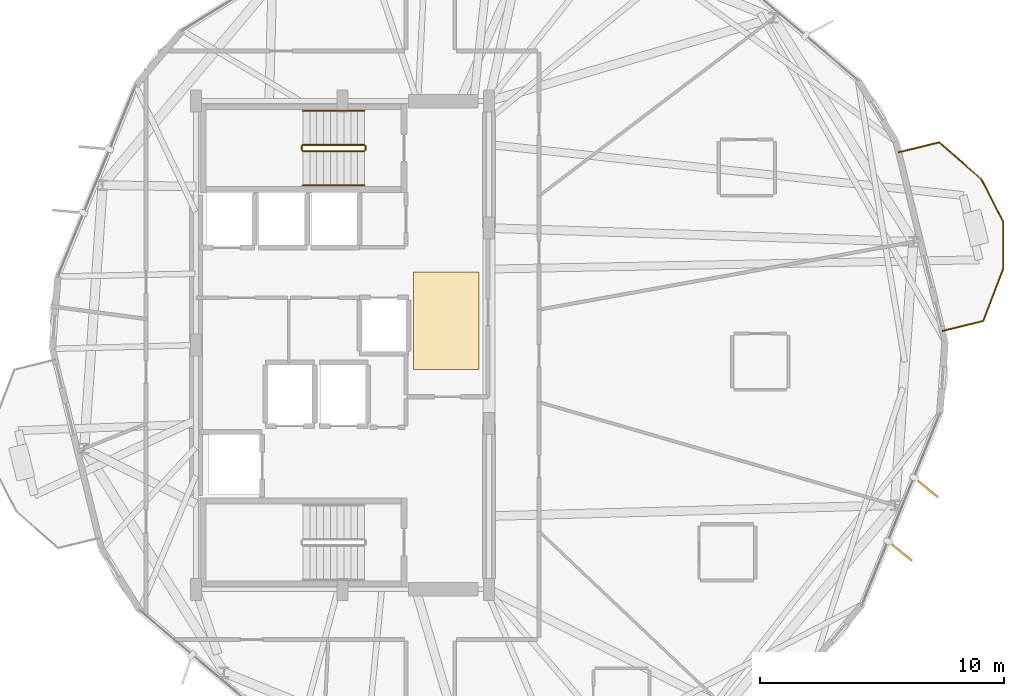
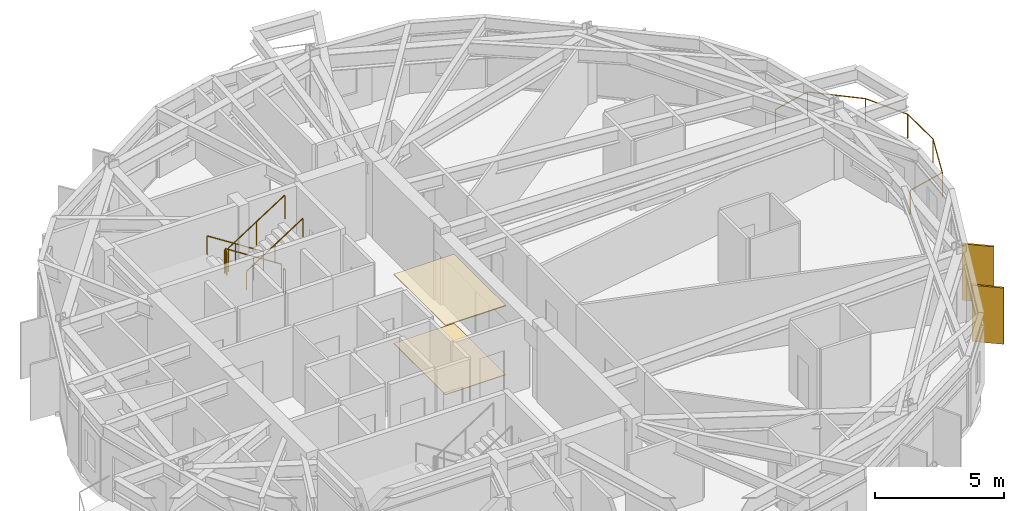
# One storey, part 20 of 21: 7 railings, 2 coverings, 2 shading devices.
"""IFC4 building model written with IfcOpenShell, lengths in metres."""

from ifc_helpers import new_model, si_unit, direction, frame, origin, origin_2d, place, context, subcontext, project, spatial, polyline, rectangle, circle, outline, extrude, material, layer, layer_set, type_object, element, save


model = new_model("IFC4")

# Units and contexts
model_context = context("Model", 3, precision=1e-05, world=origin(), true_north=direction((0.0, 1.0)))
body_context = subcontext(model_context, "Body", "Model", "MODEL_VIEW")
ifc_project = project(units=[si_unit("LENGTHUNIT", "METRE"), si_unit("AREAUNIT", "SQUARE_METRE"), si_unit("VOLUMEUNIT", "CUBIC_METRE"), si_unit("PLANEANGLEUNIT", "RADIAN"), si_unit("MASSUNIT", "GRAM", prefix="KILO")], contexts=[model_context])

# Site, building, storey
site_placement = place(None, origin())
site = spatial("IfcSite", under=ifc_project, at=site_placement, CompositionType="ELEMENT")
building_placement = place(site_placement, origin())
building = spatial("IfcBuilding", under=site, at=building_placement, Name="Soratama Intermodal Tower", CompositionType="ELEMENT")
storey_placement = place(building_placement, frame((0.0, 0.0, 153.39990234375)))
storey = spatial("IfcBuildingStorey", under=building, at=storey_placement, Name="L37", CompositionType="ELEMENT", Elevation=153.39990234375)

# Coverings
ifc_material_1 = material(Name="Perforated mineral acoustic ceiling", Category="concrete")
ifc_layer_1 = layer(ifc_material_1, 0.0400390625)
ifc_layer_set_1 = layer_set([ifc_layer_1], Name="Perforated mineral acoustic ceiling")
covering_type_1 = type_object("IfcCoveringType", Name="CV-CEIL-ACOUSTIC", PredefinedType="CEILING", material=ifc_layer_set_1)
covering_1_placement = place(storey_placement, frame((0.0, 0.0, 3.260009765625)))
element("IfcCovering", 1, at=covering_1_placement, inside=storey, type_object=covering_type_1, Name="L37 Acoustic Ceiling", PredefinedType="CEILING", context=body_context, shape_type="SweptSolid", body=[
    extrude(outline(polyline([(41.5, 24.0), (44.199951171875, 24.0), (44.199951171875, 28.0), (41.5, 28.0), (41.5, 24.0)])), origin(), (0.0, 0.0, 1.0), 0.0400390625),
])
ifc_material_2 = material(Name="Polished Andean stone terrazzo flooring", Category="masonry")
ifc_layer_2 = layer(ifc_material_2, 0.030029296875)
ifc_layer_set_2 = layer_set([ifc_layer_2], Name="Polished Andean stone terrazzo flooring")
covering_type_2 = type_object("IfcCoveringType", Name="CV-FLOR-TERRAZZO", PredefinedType="FLOORING", material=ifc_layer_set_2)
covering_2_placement = place(storey_placement, origin())
element("IfcCovering", 2, at=covering_2_placement, inside=storey, type_object=covering_type_2, Name="L37 Lobby Terrazzo Flooring", PredefinedType="FLOORING", context=body_context, shape_type="SweptSolid", body=[
    extrude(outline(polyline([(41.5, 24.0), (44.199951171875, 24.0), (44.199951171875, 28.0), (41.5, 28.0), (41.5, 24.0)])), origin(), (0.0, 0.0, 1.0), 0.030029296875),
])

# Railings
ifc_material_3 = material(Name="Laminated glass and stainless steel balustrade", Category="steel")
railing_type_1 = type_object("IfcRailingType", Name="RL-BAL-1150", PredefinedType="BALUSTRADE", material=ifc_material_3)
railing_1_placement = place(storey_placement, frame((61.37548828125, 32.904541015625, 0.0)))
element("IfcRailing", 3, at=railing_1_placement, inside=storey, type_object=railing_type_1, Name="L37 Balcony Balustrade 1", PredefinedType="BALUSTRADE", context=body_context, shape_type="SweptSolid", body=[
    extrude(circle(Radius=0.02392578125, at=origin_2d()), frame((0.0, 0.0, 1.1259765625), z_axis=(0.971152571108, 0.238458976829, 0.0), x_axis=(-0.238458976829, 0.971152571108, 0.0)), (0.0, 0.0, 1.0), 1.719970703125),
    extrude(circle(Radius=0.02392578125, at=origin_2d()), frame((1.67041015625, 0.41015625, 1.1259765625), z_axis=(0.75035271629, -0.661037669998, 0.0), x_axis=(0.661037669998, 0.75035271629, 0.0)), (0.0, 0.0, 1.0), 2.296142578125),
    extrude(circle(Radius=0.02392578125, at=origin_2d()), frame((3.393310546875, -1.107666015625, 1.1259765625), z_axis=(0.457063329661, -0.889434153088, 0.0), x_axis=(0.889434153088, 0.457063329661, 0.0)), (0.0, 0.0, 1.0), 1.93798828125),
    extrude(circle(Radius=0.02392578125, at=origin_2d()), frame((4.279052734375, -2.831298828125, 1.1259765625), z_axis=(0.007055386945, -0.999975110448, 0.0), x_axis=(0.999975110448, 0.007055386945, 0.0)), (0.0, 0.0, 1.0), 1.937744140625),
    extrude(circle(Radius=0.02392578125, at=origin_2d()), frame((4.292724609375, -4.76904296875, 1.1259765625), z_axis=(-0.3586512975, -0.933471610067, 0.0), x_axis=(0.933471610067, -0.3586512975, 0.0)), (0.0, 0.0, 1.0), 2.296142578125),
    extrude(circle(Radius=0.02392578125, at=origin_2d()), frame((3.46923828125, -6.912353515625, 1.1259765625), z_axis=(-0.971119692554, -0.238592838817, 0.0), x_axis=(0.238592838817, -0.971119692554, 0.0)), (0.0, 0.0, 1.0), 1.719970703125),
    extrude(circle(Radius=0.02099609375, at=origin_2d()), origin(), (0.0, 0.0, 1.0), 1.101806640625),
    extrude(circle(Radius=0.02099609375, at=origin_2d()), frame((1.67041015625, 0.41015625, 0.0)), (0.0, 0.0, 1.0), 1.101806640625),
    extrude(circle(Radius=0.02099609375, at=origin_2d()), frame((3.393310546875, -1.107666015625, 0.0)), (0.0, 0.0, 1.0), 1.101806640625),
    extrude(circle(Radius=0.02099609375, at=origin_2d()), frame((4.279052734375, -2.831298828125, 0.0)), (0.0, 0.0, 1.0), 1.101806640625),
    extrude(circle(Radius=0.02099609375, at=origin_2d()), frame((4.292724609375, -4.76904296875, 0.0)), (0.0, 0.0, 1.0), 1.101806640625),
    extrude(circle(Radius=0.02099609375, at=origin_2d()), frame((3.46923828125, -6.912353515625, 0.0)), (0.0, 0.0, 1.0), 1.101806640625),
    extrude(circle(Radius=0.02099609375, at=origin_2d()), frame((1.798828125, -7.32275390625, 0.0)), (0.0, 0.0, 1.0), 1.101806640625),
])
ifc_material_4 = material(Name="Painted steel stair guardrail", Category="steel")
railing_type_2 = type_object("IfcRailingType", Name="RL-STAIR-GUARD", PredefinedType="GUARDRAIL", material=ifc_material_4)
railing_2_placement = place(storey_placement, frame((39.5, 33.199951171875, 0.18017578125)))
element("IfcRailing", 4, at=railing_2_placement, inside=storey, type_object=railing_type_2, Name="L37 ST-2 stair guard 1", PredefinedType="GUARDRAIL", context=body_context, shape_type="SweptSolid", body=[
    extrude(circle(Radius=0.02392578125, at=origin_2d()), frame((0.0, 0.0, 1.1259765625), z_axis=(-0.841199657755, 0.0, 0.540724639528), x_axis=(0.0, -1.0, 0.0)), (0.0, 0.0, 1.0), 2.995849609375),
    extrude(circle(Radius=0.02099609375, at=origin_2d()), origin(), (0.0, 0.0, 1.0), 1.101806640625),
    extrude(circle(Radius=0.02099609375, at=origin_2d()), frame((-1.260009765625, 0.0, 0.81005859375)), (0.0, 0.0, 1.0), 1.101806640625),
    extrude(circle(Radius=0.02099609375, at=origin_2d()), frame((-2.52001953125, 0.0, 1.619873046875)), (0.0, 0.0, 1.0), 1.101806640625),
])
railing_3_placement = place(storey_placement, frame((36.929931640625, 33.14990234375, 1.800048828125)))
element("IfcRailing", 5, at=railing_3_placement, inside=storey, type_object=railing_type_2, Name="L37 ST-2 stair guard 2", PredefinedType="GUARDRAIL", context=body_context, shape_type="SweptSolid", body=[
    extrude(circle(Radius=0.02392578125, at=origin_2d()), frame((0.0, 0.0, 1.1259765625), z_axis=(0.0, -1.0, 0.0), x_axis=(1.0, 0.0, 0.0)), (0.0, 0.0, 1.0), 0.14990234375),
    extrude(circle(Radius=0.02099609375, at=origin_2d()), origin(), (0.0, 0.0, 1.0), 1.101806640625),
    extrude(circle(Radius=0.02099609375, at=origin_2d()), frame((0.0, -0.14990234375, 0.0)), (0.0, 0.0, 1.0), 1.101806640625),
])
railing_4_placement = place(storey_placement, frame((36.97998046875, 32.949951171875, 1.97998046875)))
element("IfcRailing", 6, at=railing_4_placement, inside=storey, type_object=railing_type_2, Name="L37 ST-2 stair guard 3", PredefinedType="GUARDRAIL", context=body_context, shape_type="SweptSolid", body=[
    extrude(circle(Radius=0.02392578125, at=origin_2d()), frame((0.0, 0.0, 1.1259765625), z_axis=(0.841162588446, 0.0, 0.540782303519), x_axis=(0.0, 1.0, 0.0)), (0.0, 0.0, 1.0), 2.995849609375),
    extrude(circle(Radius=0.02099609375, at=origin_2d()), origin(), (0.0, 0.0, 1.0), 1.101806640625),
    extrude(circle(Radius=0.02099609375, at=origin_2d()), frame((1.260009765625, 0.0, 0.81005859375)), (0.0, 0.0, 1.0), 1.101806640625),
    extrude(circle(Radius=0.02099609375, at=origin_2d()), frame((2.52001953125, 0.0, 1.6201171875)), (0.0, 0.0, 1.0), 1.101806640625),
])
railing_5_placement = place(storey_placement, frame((39.550048828125, 33.14990234375, 0.0)))
element("IfcRailing", 7, at=railing_5_placement, inside=storey, type_object=railing_type_2, Name="L37 ST-2 stair guard 4", PredefinedType="GUARDRAIL", context=body_context, shape_type="SweptSolid", body=[
    extrude(circle(Radius=0.02392578125, at=origin_2d()), frame((0.0, 0.0, 1.1259765625), z_axis=(0.0, -1.0, 0.0), x_axis=(1.0, 0.0, 0.0)), (0.0, 0.0, 1.0), 0.14990234375),
    extrude(circle(Radius=0.02099609375, at=origin_2d()), origin(), (0.0, 0.0, 1.0), 1.101806640625),
    extrude(circle(Radius=0.02099609375, at=origin_2d()), frame((0.0, -0.14990234375, 0.0)), (0.0, 0.0, 1.0), 1.101806640625),
])
ifc_material_5 = material(Name="Brushed stainless steel handrail", Category="steel")
railing_type_3 = type_object("IfcRailingType", Name="RL-STAIR-HAND", PredefinedType="HANDRAIL", material=ifc_material_5)
railing_6_placement = place(storey_placement, frame((39.5, 34.60009765625, 0.18017578125)))
element("IfcRailing", 8, at=railing_6_placement, inside=storey, type_object=railing_type_3, Name="L37 ST-2 stair handrail 1", PredefinedType="HANDRAIL", context=body_context, shape_type="SweptSolid", body=[
    extrude(circle(Radius=0.02392578125, at=origin_2d()), frame((0.0, 0.0, 0.8759765625), z_axis=(-0.841199657755, 0.0, 0.540724639528), x_axis=(0.0, -1.0, 0.0)), (0.0, 0.0, 1.0), 2.995849609375),
    extrude(circle(Radius=0.02099609375, at=origin_2d()), origin(), (0.0, 0.0, 1.0), 0.851806640625),
    extrude(circle(Radius=0.02099609375, at=origin_2d()), frame((-1.260009765625, 0.0, 0.81005859375)), (0.0, 0.0, 1.0), 0.851806640625),
    extrude(circle(Radius=0.02099609375, at=origin_2d()), frame((-2.52001953125, 0.0, 1.619873046875)), (0.0, 0.0, 1.0), 0.851806640625),
])
railing_7_placement = place(storey_placement, frame((36.97998046875, 31.550048828125, 1.97998046875)))
element("IfcRailing", 9, at=railing_7_placement, inside=storey, type_object=railing_type_3, Name="L37 ST-2 stair handrail 2", PredefinedType="HANDRAIL", context=body_context, shape_type="SweptSolid", body=[
    extrude(circle(Radius=0.02392578125, at=origin_2d()), frame((0.0, 0.0, 0.8759765625), z_axis=(0.841162588446, 0.0, 0.540782303519), x_axis=(0.0, 1.0, 0.0)), (0.0, 0.0, 1.0), 2.995849609375),
    extrude(circle(Radius=0.02099609375, at=origin_2d()), origin(), (0.0, 0.0, 1.0), 0.851806640625),
    extrude(circle(Radius=0.02099609375, at=origin_2d()), frame((1.260009765625, 0.0, 0.81005859375)), (0.0, 0.0, 1.0), 0.851806640625),
    extrude(circle(Radius=0.02099609375, at=origin_2d()), frame((2.52001953125, 0.0, 1.6201171875)), (0.0, 0.0, 1.0), 0.851806640625),
])

# Shading devices
ifc_material_6 = material(Name="Champagne anodised aluminium solar fin", Category="aluminium")
ifc_layer_3 = layer(ifc_material_6, 0.080078125)
ifc_layer_set_3 = layer_set([ifc_layer_3], Name="Champagne anodised aluminium solar fin")
shading_device_type = type_object("IfcShadingDeviceType", Name="SH-FIN-1250", PredefinedType="USERDEFINED", material=ifc_layer_set_3)
for number, where, z_axis, x_axis, name in (
    (10, (61.4384765625, 16.56884765625, 0.02001953125), (0.0, 0.0, 1.0), (0.77527531223, -0.631623456061, 0.0), "L37 Solar Fin F09-1"),
    (11, (62.50146484375, 19.173828125, 0.02001953125), (0.0, 0.0, 1.0), (0.77527531223, -0.631623456061, 0.0), "L37 Solar Fin F09-2"),
):
    element("IfcShadingDevice", number, at=place(storey_placement, frame(where, z_axis=z_axis, x_axis=x_axis)), inside=storey, type_object=shading_device_type, Name=name, ObjectType="FIN", PredefinedType="USERDEFINED", context=body_context, shape_type="SweptSolid", body=[
        extrude(rectangle(XDim=1.25, YDim=0.080078125, at=origin_2d()), origin(), (0.0, 0.0, 1.0), 2.658935546875),
    ])

save(model, "model.ifc")
